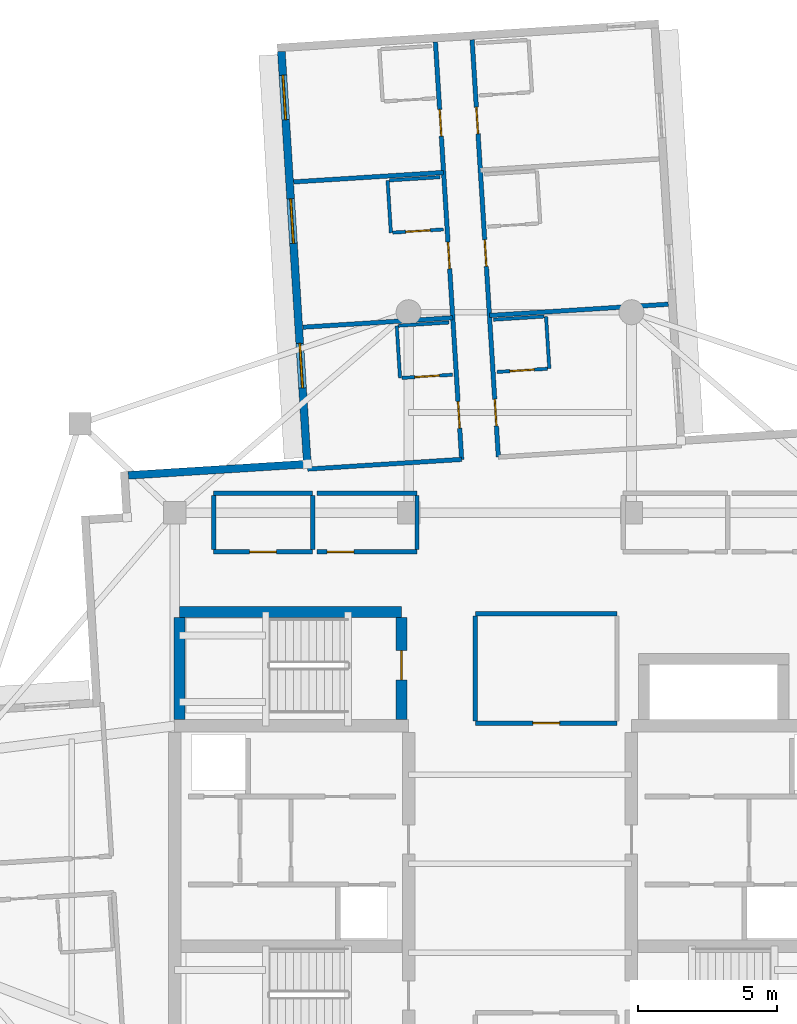
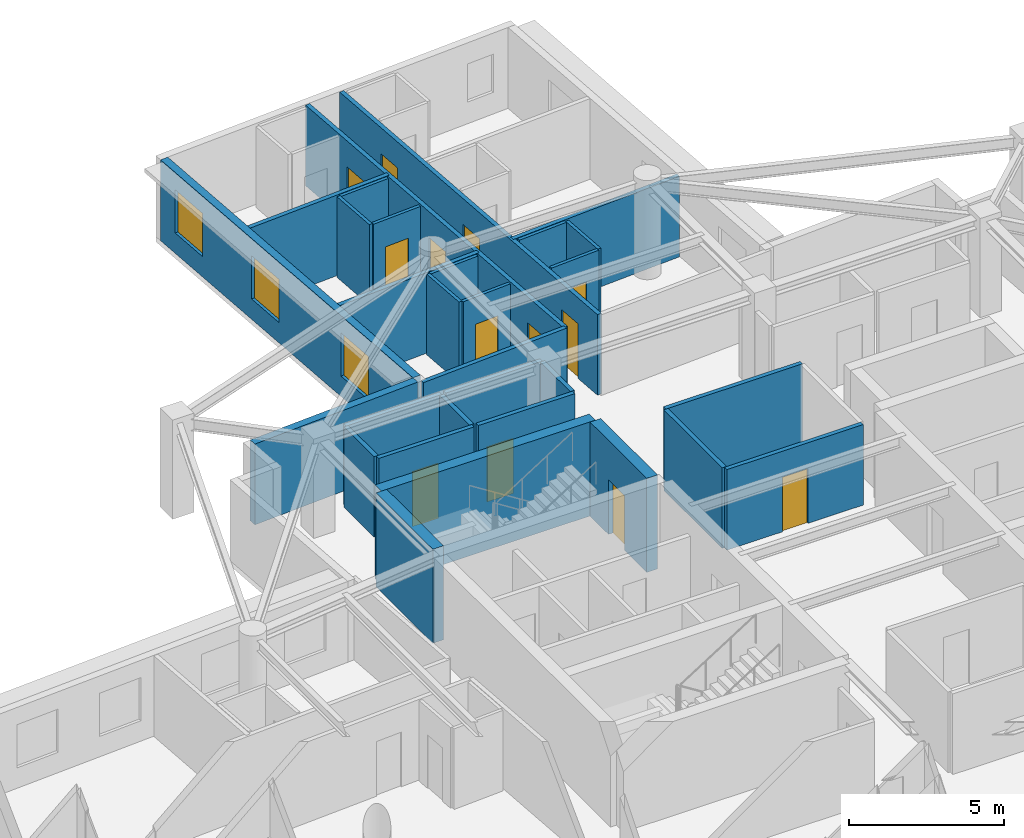
# One storey, part 7 of 13: 30 walls, 13 doors, 3 windows, 16 openings.
"""IFC4 building model written with IfcOpenShell, lengths in metres."""

from ifc_helpers import new_model, si_unit, direction, frame, frame_2d, origin, place, context, subcontext, project, spatial, rectangle, extrude, material, layer, layer_set, type_object, element, fill, save


model = new_model("IFC4")

# Units and contexts
model_context = context("Model", 3, precision=1e-05, world=origin(), true_north=direction((0.0, 1.0)))
body_context = subcontext(model_context, "Body", "Model", "MODEL_VIEW")
ifc_project = project(units=[si_unit("LENGTHUNIT", "METRE"), si_unit("AREAUNIT", "SQUARE_METRE"), si_unit("VOLUMEUNIT", "CUBIC_METRE"), si_unit("PLANEANGLEUNIT", "RADIAN"), si_unit("MASSUNIT", "GRAM", prefix="KILO")], contexts=[model_context])

# Site, building, storey
site_placement = place(None, origin())
site = spatial("IfcSite", under=ifc_project, at=site_placement, CompositionType="ELEMENT")
building_placement = place(site_placement, origin())
building = spatial("IfcBuilding", under=site, at=building_placement, Name="Qingluan Cross Belvedere", CompositionType="ELEMENT")
storey_placement = place(building_placement, frame((0.0, 0.0, 281.10009765625)))
storey = spatial("IfcBuildingStorey", under=building, at=storey_placement, Name="L70", CompositionType="ELEMENT", Elevation=281.10009765625)

# Walls
ifc_material_1 = material(Name="Concrete C50", Category="concrete")
ifc_layer_1 = layer(ifc_material_1, 0.449951171875, Name="CoreShearWall_450")
ifc_layer_set_1 = layer_set([ifc_layer_1], Name="Concrete C50")
wall_type_1 = type_object("IfcWallType", Name="CoreShearWall_450", PredefinedType="SHEAR", material=ifc_layer_set_1)
wall_1_placement = place(storey_placement, frame((-12.219970703125, 9.0400390625, 0.0), z_axis=(0.0, 0.0, 1.0), x_axis=(1.0, 0.0, 0.0)))
element("IfcWall", 1, at=wall_1_placement, inside=storey, type_object=wall_type_1, Name="Stair ST3 structural wall N L70", PredefinedType="SHEAR", context=body_context, shape_type="SweptSolid", body=[
    extrude(rectangle(XDim=7.9599609375, YDim=0.39990234375, at=frame_2d((3.97998046875, 0.0))), origin(), (0.0, 0.0, 1.0), 3.699951171875),
])
wall_2_placement = place(storey_placement, frame((-12.219970703125, 5.179931640625, 0.0), z_axis=(0.0, 0.0, 1.0), x_axis=(0.0, 1.0, 0.0)))
element("IfcWall", 2, at=wall_2_placement, inside=storey, type_object=wall_type_1, Name="Stair ST3 structural wall W L70", PredefinedType="SHEAR", context=body_context, shape_type="SweptSolid", body=[
    extrude(rectangle(XDim=3.655029296875, YDim=0.39990234375, at=frame_2d((1.82763671875, 0.0))), origin(), (0.0, 0.0, 1.0), 3.699951171875),
])

# Wall, opening, door
wall_3_placement = place(storey_placement, frame((-4.260009765625, 5.179931640625, 0.0), z_axis=(0.0, 0.0, 1.0), x_axis=(0.0, 1.0, 0.0)))
wall_3 = element("IfcWall", 3, at=wall_3_placement, inside=storey, type_object=wall_type_1, Name="Stair ST3 structural wall E L70", PredefinedType="SHEAR", context=body_context, shape_type="SweptSolid", body=[
    extrude(rectangle(XDim=3.655029296875, YDim=0.39990234375, at=frame_2d((1.82763671875, 0.0))), origin(), (0.0, 0.0, 1.0), 3.699951171875),
])
opening_1_placement = place(wall_3_placement, frame((1.419921875, 0.0, 0.0)))
opening_1 = element("IfcOpeningElement", 4, at=opening_1_placement, cuts=wall_3, Name="Opening FD-B11", PredefinedType="OPENING", context=body_context, shape_type="SweptSolid", body=[
    extrude(rectangle(XDim=1.050048828125, YDim=2.14990234375, at=frame_2d((0.52490234375, 1.074951171875))), frame((0.0, 0.2099609375, 0.0), z_axis=(0.0, -1.0, 0.0), x_axis=(1.0, 0.0, 0.0)), (0.0, 0.0, 1.0), 0.419921875),
])
ifc_material_2 = material(Name="Steel Class B smoke-seal fire door", Category="steel")
door_type_1 = type_object("IfcDoorType", Name="StairLobbyFireDoor_FDB", OperationType="NOTDEFINED", PredefinedType="DOOR", material=ifc_material_2)
door_1_placement = place(opening_1_placement, origin())
door_1 = element("IfcDoor", 5, at=door_1_placement, inside=storey, type_object=door_type_1, Name="Smoke-proof stair ST3 fire door L70", OperationType="SINGLE_SWING_RIGHT", OverallHeight=2.14990234375, OverallWidth=1.050048828125, PredefinedType="DOOR", context=body_context, shape_type="SweptSolid", body=[
    extrude(rectangle(XDim=1.050048828125, YDim=2.14990234375, at=frame_2d((0.52490234375, 1.074951171875))), frame((0.0, 0.02490234375, 0.0), z_axis=(0.0, -1.0, 0.0), x_axis=(1.0, 0.0, 0.0)), (0.0, 0.0, 1.0), 0.050048828125),
])
fill(opening_1, door_1)

ifc_material_3 = material(Name="Gypsum plasterboard on steel stud acoustic partition", Category="steel")
ifc_layer_2 = layer(ifc_material_3, 0.159912109375, Name="CorridorPartition_160")
ifc_layer_set_2 = layer_set([ifc_layer_2], Name="Gypsum plasterboard on steel stud acoustic partition")
wall_type_2 = type_object("IfcWallType", Name="CorridorPartition_160", PredefinedType="PARTITIONING", material=ifc_layer_set_2)
wall_4_placement = place(storey_placement, frame((-11.0, 11.199951171875, 0.0), z_axis=(0.0, 0.0, 1.0), x_axis=(1.0, 0.0, 0.0)))
wall_4 = element("IfcWall", 6, at=wall_4_placement, inside=storey, type_object=wall_type_2, Name="Partition L70:q_nw1:S", PredefinedType="PARTITIONING", context=body_context, shape_type="SweptSolid", body=[
    extrude(rectangle(XDim=3.550048828125, YDim=0.159912109375, at=frame_2d((1.77490234375, 0.0))), origin(), (0.0, 0.0, 1.0), 3.169921875),
])
opening_2_placement = place(wall_4_placement, frame((1.294921875, 0.0, 0.0)))
opening_2 = element("IfcOpeningElement", 7, at=opening_2_placement, cuts=wall_4, Name="Opening GD-10", PredefinedType="OPENING", context=body_context, shape_type="SweptSolid", body=[
    extrude(rectangle(XDim=0.9599609375, YDim=2.14990234375, at=frame_2d((0.47998046875, 1.074951171875))), frame((0.0, 0.08984375, 0.0), z_axis=(0.0, -1.0, 0.0), x_axis=(1.0, 0.0, 0.0)), (0.0, 0.0, 1.0), 0.179931640625),
])
ifc_material_4 = material(Name="Timber oak fire-rated acoustic guestroom door", Category="wood")
door_type_2 = type_object("IfcDoorType", Name="GuestEntryDoor_FD60", OperationType="NOTDEFINED", PredefinedType="DOOR", material=ifc_material_4)
door_2_placement = place(opening_2_placement, origin())
door_2 = element("IfcDoor", 8, at=door_2_placement, inside=storey, type_object=door_type_2, Name="Northwest sky parlor L70 door", OperationType="SINGLE_SWING_RIGHT", OverallHeight=2.14990234375, OverallWidth=0.9599609375, PredefinedType="DOOR", context=body_context, shape_type="SweptSolid", body=[
    extrude(rectangle(XDim=0.9599609375, YDim=2.14990234375, at=frame_2d((0.47998046875, 1.074951171875))), frame((0.0, 0.02490234375, 0.0), z_axis=(0.0, -1.0, 0.0), x_axis=(1.0, 0.0, 0.0)), (0.0, 0.0, 1.0), 0.050048828125),
])
fill(opening_2, door_2)

# Walls
wall_5_placement = place(storey_placement, frame((-11.0, 13.300048828125, 0.0), z_axis=(0.0, 0.0, 1.0), x_axis=(1.0, 0.0, 0.0)))
element("IfcWall", 9, at=wall_5_placement, inside=storey, type_object=wall_type_2, Name="Partition L70:q_nw1:N", PredefinedType="PARTITIONING", context=body_context, shape_type="SweptSolid", body=[
    extrude(rectangle(XDim=3.550048828125, YDim=0.159912109375, at=frame_2d((1.77490234375, 0.0))), origin(), (0.0, 0.0, 1.0), 3.169921875),
])
for number, where, z_axis, x_axis, name in (
    (10, (-11.0, 11.284912109375, 0.0), (0.0, 0.0, 1.0), (0.0, 1.0, 0.0), "Partition L70:q_nw1:W"),
    (11, (-7.449951171875, 11.284912109375, 0.0), (0.0, 0.0, 1.0), (0.0, 1.0, 0.0), "Partition L70:q_nw1:E"),
):
    element("IfcWall", number, at=place(storey_placement, frame(where, z_axis=z_axis, x_axis=x_axis)), inside=storey, type_object=wall_type_2, Name=name, PredefinedType="PARTITIONING", context=body_context, shape_type="SweptSolid", body=[
        extrude(rectangle(XDim=1.93017578125, YDim=0.159912109375, at=frame_2d((0.965087890625, 0.0))), origin(), (0.0, 0.0, 1.0), 3.169921875),
    ])

# Wall, opening, door
wall_6_placement = place(storey_placement, frame((-7.2900390625, 11.199951171875, 0.0), z_axis=(0.0, 0.0, 1.0), x_axis=(1.0, 0.0, 0.0)))
wall_6 = element("IfcWall", 12, at=wall_6_placement, inside=storey, type_object=wall_type_2, Name="Partition L70:q_nw2:S", PredefinedType="PARTITIONING", context=body_context, shape_type="SweptSolid", body=[
    extrude(rectangle(XDim=3.590087890625, YDim=0.159912109375, at=frame_2d((1.794921875, 0.0))), origin(), (0.0, 0.0, 1.0), 3.169921875),
])
opening_3_placement = place(wall_6_placement, frame((0.364990234375, 0.0, 0.0)))
opening_3 = element("IfcOpeningElement", 13, at=opening_3_placement, cuts=wall_6, Name="Opening GD-10", PredefinedType="OPENING", context=body_context, shape_type="SweptSolid", body=[
    extrude(rectangle(XDim=0.9599609375, YDim=2.14990234375, at=frame_2d((0.47998046875, 1.074951171875))), frame((0.0, 0.08984375, 0.0), z_axis=(0.0, -1.0, 0.0), x_axis=(1.0, 0.0, 0.0)), (0.0, 0.0, 1.0), 0.179931640625),
])
door_3_placement = place(opening_3_placement, origin())
door_3 = element("IfcDoor", 14, at=door_3_placement, inside=storey, type_object=door_type_2, Name="Northwest study salon L70 door", OperationType="SINGLE_SWING_LEFT", OverallHeight=2.14990234375, OverallWidth=0.9599609375, PredefinedType="DOOR", context=body_context, shape_type="SweptSolid", body=[
    extrude(rectangle(XDim=0.9599609375, YDim=2.14990234375, at=frame_2d((0.47998046875, 1.074951171875))), frame((0.0, 0.02490234375, 0.0), z_axis=(0.0, -1.0, 0.0), x_axis=(1.0, 0.0, 0.0)), (0.0, 0.0, 1.0), 0.050048828125),
])
fill(opening_3, door_3)

# Walls
wall_7_placement = place(storey_placement, frame((-7.2900390625, 13.300048828125, 0.0), z_axis=(0.0, 0.0, 1.0), x_axis=(1.0, 0.0, 0.0)))
element("IfcWall", 15, at=wall_7_placement, inside=storey, type_object=wall_type_2, Name="Partition L70:q_nw2:N", PredefinedType="PARTITIONING", context=body_context, shape_type="SweptSolid", body=[
    extrude(rectangle(XDim=3.590087890625, YDim=0.159912109375, at=frame_2d((1.794921875, 0.0))), origin(), (0.0, 0.0, 1.0), 3.169921875),
])
wall_8_placement = place(storey_placement, frame((-3.699951171875, 11.284912109375, 0.0), z_axis=(0.0, 0.0, 1.0), x_axis=(0.0, 1.0, 0.0)))
element("IfcWall", 16, at=wall_8_placement, inside=storey, type_object=wall_type_2, Name="Partition L70:q_nw2:E", PredefinedType="PARTITIONING", context=body_context, shape_type="SweptSolid", body=[
    extrude(rectangle(XDim=1.93017578125, YDim=0.159912109375, at=frame_2d((0.965087890625, 0.0))), origin(), (0.0, 0.0, 1.0), 3.169921875),
])

# Wall, opening, door
wall_9_placement = place(storey_placement, frame((-1.60009765625, 5.050048828125, 0.0), z_axis=(0.0, 0.0, 1.0), x_axis=(1.0, 0.0, 0.0)))
wall_9 = element("IfcWall", 17, at=wall_9_placement, inside=storey, type_object=wall_type_2, Name="Partition L70:sky_tea_alcove:S", PredefinedType="PARTITIONING", context=body_context, shape_type="SweptSolid", body=[
    extrude(rectangle(XDim=5.080078125, YDim=0.159912109375, at=frame_2d((2.5400390625, 0.0))), origin(), (0.0, 0.0, 1.0), 3.169921875),
])
opening_4_placement = place(wall_9_placement, frame((2.06005859375, 0.0, 0.0)))
opening_4 = element("IfcOpeningElement", 18, at=opening_4_placement, cuts=wall_9, Name="Opening GD-10", PredefinedType="OPENING", context=body_context, shape_type="SweptSolid", body=[
    extrude(rectangle(XDim=0.9599609375, YDim=2.14990234375, at=frame_2d((0.47998046875, 1.074951171875))), frame((0.0, 0.08984375, 0.0), z_axis=(0.0, -1.0, 0.0), x_axis=(1.0, 0.0, 0.0)), (0.0, 0.0, 1.0), 0.179931640625),
])
door_4_placement = place(opening_4_placement, origin())
door_4 = element("IfcDoor", 19, at=door_4_placement, inside=storey, type_object=door_type_2, Name="Sky horizon tea salon L70 door", OperationType="SINGLE_SWING_LEFT", OverallHeight=2.14990234375, OverallWidth=0.9599609375, PredefinedType="DOOR", context=body_context, shape_type="SweptSolid", body=[
    extrude(rectangle(XDim=0.9599609375, YDim=2.14990234375, at=frame_2d((0.47998046875, 1.074951171875))), frame((0.0, 0.02490234375, 0.0), z_axis=(0.0, -1.0, 0.0), x_axis=(1.0, 0.0, 0.0)), (0.0, 0.0, 1.0), 0.050048828125),
])
fill(opening_4, door_4)

# Walls
wall_10_placement = place(storey_placement, frame((-1.60009765625, 8.97998046875, 0.0), z_axis=(0.0, 0.0, 1.0), x_axis=(1.0, 0.0, 0.0)))
element("IfcWall", 20, at=wall_10_placement, inside=storey, type_object=wall_type_2, Name="Partition L70:sky_tea_alcove:N", PredefinedType="PARTITIONING", context=body_context, shape_type="SweptSolid", body=[
    extrude(rectangle(XDim=5.080078125, YDim=0.159912109375, at=frame_2d((2.5400390625, 0.0))), origin(), (0.0, 0.0, 1.0), 3.169921875),
])
wall_11_placement = place(storey_placement, frame((-1.60009765625, 5.135009765625, 0.0), z_axis=(0.0, 0.0, 1.0), x_axis=(0.0, 1.0, 0.0)))
element("IfcWall", 21, at=wall_11_placement, inside=storey, type_object=wall_type_2, Name="Partition L70:sky_tea_alcove:W", PredefinedType="PARTITIONING", context=body_context, shape_type="SweptSolid", body=[
    extrude(rectangle(XDim=3.760009765625, YDim=0.159912109375, at=frame_2d((1.8798828125, 0.0))), origin(), (0.0, 0.0, 1.0), 3.169921875),
])

# Wall, openings, doors
wall_12_placement = place(storey_placement, frame((-0.7783203125, 14.599853515625, 0.0), z_axis=(0.0, 0.0, 1.0), x_axis=(-0.062791373209, 0.998026674719, 0.0)))
wall_12 = element("IfcWall", 22, at=wall_12_placement, inside=storey, type_object=wall_type_2, Name="Partition L70:N:c0", PredefinedType="PARTITIONING", context=body_context, shape_type="SweptSolid", body=[
    extrude(rectangle(XDim=15.011962890625, YDim=0.159912109375, at=frame_2d((7.505859375, 0.0))), origin(), (0.0, 0.0, 1.0), 3.169921875),
])
opening_5_placement = place(wall_12_placement, frame((1.1220703125, 0.0, 0.0)))
opening_5 = element("IfcOpeningElement", 23, at=opening_5_placement, cuts=wall_12, Name="Opening GD-10", PredefinedType="OPENING", context=body_context, shape_type="SweptSolid", body=[
    extrude(rectangle(XDim=0.9599609375, YDim=2.14990234375, at=frame_2d((0.47998046875, 1.074951171875))), frame((0.0, 0.08984375, 0.0), z_axis=(0.0, -1.0, 0.0), x_axis=(1.0, 0.0, 0.0)), (0.0, 0.0, 1.0), 0.179931640625),
])
opening_6_placement = place(wall_12_placement, frame((6.85791015625, 0.0, 0.0)))
opening_6 = element("IfcOpeningElement", 24, at=opening_6_placement, cuts=wall_12, Name="Opening GD-10", PredefinedType="OPENING", context=body_context, shape_type="SweptSolid", body=[
    extrude(rectangle(XDim=0.9599609375, YDim=2.14990234375, at=frame_2d((0.47998046875, 1.074951171875))), frame((0.0, 0.08984375, 0.0), z_axis=(0.0, -1.0, 0.0), x_axis=(1.0, 0.0, 0.0)), (0.0, 0.0, 1.0), 0.179931640625),
])
opening_7_placement = place(wall_12_placement, frame((11.6279296875, 0.0, 0.0)))
opening_7 = element("IfcOpeningElement", 25, at=opening_7_placement, cuts=wall_12, Name="Opening GD-10", PredefinedType="OPENING", context=body_context, shape_type="SweptSolid", body=[
    extrude(rectangle(XDim=0.9599609375, YDim=2.14990234375, at=frame_2d((0.47998046875, 1.074951171875))), frame((0.0, 0.08984375, 0.0), z_axis=(0.0, -1.0, 0.0), x_axis=(1.0, 0.0, 0.0)), (0.0, 0.0, 1.0), 0.179931640625),
])
door_5_placement = place(opening_5_placement, origin())
door_5 = element("IfcDoor", 26, at=door_5_placement, inside=storey, type_object=door_type_2, Name="Guest entry fire door 7009", OperationType="SINGLE_SWING_LEFT", OverallHeight=2.14990234375, OverallWidth=0.9599609375, PredefinedType="DOOR", context=body_context, shape_type="SweptSolid", body=[
    extrude(rectangle(XDim=0.9599609375, YDim=2.14990234375, at=frame_2d((0.47998046875, 1.074951171875))), frame((0.0, 0.02490234375, 0.0), z_axis=(0.0, -1.0, 0.0), x_axis=(1.0, 0.0, 0.0)), (0.0, 0.0, 1.0), 0.050048828125),
])
fill(opening_5, door_5)
door_6_placement = place(opening_6_placement, origin())
door_6 = element("IfcDoor", 27, at=door_6_placement, inside=storey, type_object=door_type_2, Name="Guest entry fire door 7010", OperationType="SINGLE_SWING_LEFT", OverallHeight=2.14990234375, OverallWidth=0.9599609375, PredefinedType="DOOR", context=body_context, shape_type="SweptSolid", body=[
    extrude(rectangle(XDim=0.9599609375, YDim=2.14990234375, at=frame_2d((0.47998046875, 1.074951171875))), frame((0.0, 0.02490234375, 0.0), z_axis=(0.0, -1.0, 0.0), x_axis=(1.0, 0.0, 0.0)), (0.0, 0.0, 1.0), 0.050048828125),
])
fill(opening_6, door_6)
door_7_placement = place(opening_7_placement, origin())
door_7 = element("IfcDoor", 28, at=door_7_placement, inside=storey, type_object=door_type_2, Name="Guest entry fire door 7011", OperationType="SINGLE_SWING_LEFT", OverallHeight=2.14990234375, OverallWidth=0.9599609375, PredefinedType="DOOR", context=body_context, shape_type="SweptSolid", body=[
    extrude(rectangle(XDim=0.9599609375, YDim=2.14990234375, at=frame_2d((0.47998046875, 1.074951171875))), frame((0.0, 0.02490234375, 0.0), z_axis=(0.0, -1.0, 0.0), x_axis=(1.0, 0.0, 0.0)), (0.0, 0.0, 1.0), 0.050048828125),
])
fill(opening_7, door_7)

# Wall
wall_13_placement = place(storey_placement, frame((-1.09814453125, 19.683837890625, 0.0), z_axis=(0.0, 0.0, 1.0), x_axis=(0.998024861541, 0.062820185823, 0.0)))
element("IfcWall", 29, at=wall_13_placement, inside=storey, type_object=wall_type_2, Name="Partition L70:N:d0_0", PredefinedType="PARTITIONING", context=body_context, shape_type="SweptSolid", body=[
    extrude(rectangle(XDim=6.431884765625, YDim=0.159912109375, at=frame_2d((3.2158203125, 0.0))), origin(), (0.0, 0.0, 1.0), 3.169921875),
])

# Wall, openings, doors
wall_14_placement = place(storey_placement, frame((-2.095703125, 14.51708984375, 0.0), z_axis=(0.0, 0.0, 1.0), x_axis=(-0.062791373209, 0.998026674719, 0.0)))
wall_14 = element("IfcWall", 30, at=wall_14_placement, inside=storey, type_object=wall_type_2, Name="Partition L70:N:c1", PredefinedType="PARTITIONING", context=body_context, shape_type="SweptSolid", body=[
    extrude(rectangle(XDim=15.011962890625, YDim=0.159912109375, at=frame_2d((7.505859375, 0.0))), origin(), (0.0, 0.0, 1.0), 3.169921875),
])
opening_8_placement = place(wall_14_placement, frame((1.1220703125, 0.0, 0.0)))
opening_8 = element("IfcOpeningElement", 31, at=opening_8_placement, cuts=wall_14, Name="Opening GD-10", PredefinedType="OPENING", context=body_context, shape_type="SweptSolid", body=[
    extrude(rectangle(XDim=0.9599609375, YDim=2.14990234375, at=frame_2d((0.47998046875, 1.074951171875))), frame((0.0, 0.08984375, 0.0), z_axis=(0.0, -1.0, 0.0), x_axis=(1.0, 0.0, 0.0)), (0.0, 0.0, 1.0), 0.179931640625),
])
opening_9_placement = place(wall_14_placement, frame((6.85791015625, 0.0, 0.0)))
opening_9 = element("IfcOpeningElement", 32, at=opening_9_placement, cuts=wall_14, Name="Opening GD-10", PredefinedType="OPENING", context=body_context, shape_type="SweptSolid", body=[
    extrude(rectangle(XDim=0.9599609375, YDim=2.14990234375, at=frame_2d((0.47998046875, 1.074951171875))), frame((0.0, 0.08984375, 0.0), z_axis=(0.0, -1.0, 0.0), x_axis=(1.0, 0.0, 0.0)), (0.0, 0.0, 1.0), 0.179931640625),
])
opening_10_placement = place(wall_14_placement, frame((11.6279296875, 0.0, 0.0)))
opening_10 = element("IfcOpeningElement", 33, at=opening_10_placement, cuts=wall_14, Name="Opening GD-10", PredefinedType="OPENING", context=body_context, shape_type="SweptSolid", body=[
    extrude(rectangle(XDim=0.9599609375, YDim=2.14990234375, at=frame_2d((0.47998046875, 1.074951171875))), frame((0.0, 0.08984375, 0.0), z_axis=(0.0, -1.0, 0.0), x_axis=(1.0, 0.0, 0.0)), (0.0, 0.0, 1.0), 0.179931640625),
])
door_8_placement = place(opening_8_placement, origin())
door_8 = element("IfcDoor", 34, at=door_8_placement, inside=storey, type_object=door_type_2, Name="Guest entry fire door 7012", OperationType="SINGLE_SWING_LEFT", OverallHeight=2.14990234375, OverallWidth=0.9599609375, PredefinedType="DOOR", context=body_context, shape_type="SweptSolid", body=[
    extrude(rectangle(XDim=0.9599609375, YDim=2.14990234375, at=frame_2d((0.47998046875, 1.074951171875))), frame((0.0, 0.02490234375, 0.0), z_axis=(0.0, -1.0, 0.0), x_axis=(1.0, 0.0, 0.0)), (0.0, 0.0, 1.0), 0.050048828125),
])
fill(opening_8, door_8)
door_9_placement = place(opening_9_placement, origin())
door_9 = element("IfcDoor", 35, at=door_9_placement, inside=storey, type_object=door_type_2, Name="Guest entry fire door 7013", OperationType="SINGLE_SWING_LEFT", OverallHeight=2.14990234375, OverallWidth=0.9599609375, PredefinedType="DOOR", context=body_context, shape_type="SweptSolid", body=[
    extrude(rectangle(XDim=0.9599609375, YDim=2.14990234375, at=frame_2d((0.47998046875, 1.074951171875))), frame((0.0, 0.02490234375, 0.0), z_axis=(0.0, -1.0, 0.0), x_axis=(1.0, 0.0, 0.0)), (0.0, 0.0, 1.0), 0.050048828125),
])
fill(opening_9, door_9)
door_10_placement = place(opening_10_placement, origin())
door_10 = element("IfcDoor", 36, at=door_10_placement, inside=storey, type_object=door_type_2, Name="Guest entry fire door 7014", OperationType="SINGLE_SWING_LEFT", OverallHeight=2.14990234375, OverallWidth=0.9599609375, PredefinedType="DOOR", context=body_context, shape_type="SweptSolid", body=[
    extrude(rectangle(XDim=0.9599609375, YDim=2.14990234375, at=frame_2d((0.47998046875, 1.074951171875))), frame((0.0, 0.02490234375, 0.0), z_axis=(0.0, -1.0, 0.0), x_axis=(1.0, 0.0, 0.0)), (0.0, 0.0, 1.0), 0.050048828125),
])
fill(opening_10, door_10)

# Walls
wall_15_placement = place(storey_placement, frame((-2.095703125, 14.51708984375, 0.0), z_axis=(0.0, 0.0, 1.0), x_axis=(-0.998026254693, -0.062798048878, 0.0)))
element("IfcWall", 37, at=wall_15_placement, inside=storey, type_object=wall_type_2, Name="Partition L70:N:s1", PredefinedType="PARTITIONING", context=body_context, shape_type="SweptSolid", body=[
    extrude(rectangle(XDim=5.5400390625, YDim=0.159912109375, at=frame_2d((2.77001953125, 0.0))), origin(), (0.0, 0.0, 1.0), 3.169921875),
])
for number, where, z_axis, x_axis, name in (
    (38, (-2.41552734375, 19.60107421875, 0.0), (0.0, 0.0, 1.0), (-0.998026061844, -0.062801113682, 0.0), "Partition L70:N:d1_0"),
    (39, (-2.74365234375, 24.817626953125, 0.0), (0.0, 0.0, 1.0), (-0.998026061844, -0.062801113682, 0.0), "Partition L70:N:d1_1"),
):
    element("IfcWall", number, at=place(storey_placement, frame(where, z_axis=z_axis, x_axis=x_axis)), inside=storey, type_object=wall_type_2, Name=name, PredefinedType="PARTITIONING", context=body_context, shape_type="SweptSolid", body=[
        extrude(rectangle(XDim=5.39208984375, YDim=0.159912109375, at=frame_2d((2.696044921875, 0.0))), origin(), (0.0, 0.0, 1.0), 3.169921875),
    ])

# Wall, opening, door
ifc_material_5 = material(Name="Moisture-resistant gypsum board lining")
ifc_layer_3 = layer(ifc_material_5, 0.1201171875, Name="EnsuiteWetPartition_120")
ifc_layer_set_3 = layer_set([ifc_layer_3], Name="Moisture-resistant gypsum board lining")
wall_type_3 = type_object("IfcWallType", Name="EnsuiteWetPartition_120", PredefinedType="PARTITIONING", material=ifc_layer_set_3)
wall_16_placement = place(storey_placement, frame((-0.830322265625, 17.65673828125, 0.0), z_axis=(0.0, 0.0, 1.0), x_axis=(0.998027443946, 0.062779145668, 0.0)))
wall_16 = element("IfcWall", 40, at=wall_16_placement, inside=storey, type_object=wall_type_3, Name="Partition L70:N:bs0_0", PredefinedType="PARTITIONING", context=body_context, shape_type="SweptSolid", body=[
    extrude(rectangle(XDim=1.820068359375, YDim=0.1201171875, at=frame_2d((0.91015625, 0.0))), origin(), (0.0, 0.0, 1.0), 3.169921875),
])
opening_11_placement = place(wall_16_placement, frame((0.469970703125, 0.0, 0.0)))
opening_11 = element("IfcOpeningElement", 41, at=opening_11_placement, cuts=wall_16, Name="Opening BD-09", PredefinedType="OPENING", context=body_context, shape_type="SweptSolid", body=[
    extrude(rectangle(XDim=0.8798828125, YDim=2.10009765625, at=frame_2d((0.43994140625, 1.050048828125))), frame((0.0, 0.070068359375, 0.0), z_axis=(0.0, -1.0, 0.0), x_axis=(1.0, 0.0, 0.0)), (0.0, 0.0, 1.0), 0.14013671875),
])
ifc_material_6 = material(Name="Moisture-sealed timber en-suite door", Category="wood")
door_type_3 = type_object("IfcDoorType", Name="BathroomDoor_880", OperationType="NOTDEFINED", PredefinedType="DOOR", material=ifc_material_6)
door_11_placement = place(opening_11_placement, origin())
door_11 = element("IfcDoor", 42, at=door_11_placement, inside=storey, type_object=door_type_3, Name="Bathroom door 7009", OperationType="SINGLE_SWING_RIGHT", OverallHeight=2.10009765625, OverallWidth=0.8798828125, PredefinedType="DOOR", context=body_context, shape_type="SweptSolid", body=[
    extrude(rectangle(XDim=0.8798828125, YDim=2.10009765625, at=frame_2d((0.43994140625, 1.050048828125))), frame((0.0, 0.02490234375, 0.0), z_axis=(0.0, -1.0, 0.0), x_axis=(1.0, 0.0, 0.0)), (0.0, 0.0, 1.0), 0.050048828125),
])
fill(opening_11, door_11)

# Walls
wall_17_placement = place(storey_placement, frame((-0.948486328125, 19.532958984375, 0.0), z_axis=(0.0, 0.0, 1.0), x_axis=(0.998027972529, 0.062770741989, 0.0)))
element("IfcWall", 43, at=wall_17_placement, inside=storey, type_object=wall_type_3, Name="Partition L70:N:bw0_0", PredefinedType="PARTITIONING", context=body_context, shape_type="SweptSolid", body=[
    extrude(rectangle(XDim=1.8203125, YDim=0.1201171875, at=frame_2d((0.91015625, 0.0))), origin(), (0.0, 0.0, 1.0), 3.169921875),
])
wall_18_placement = place(storey_placement, frame((1.051025390625, 17.775146484375, 0.0), z_axis=(0.0, 0.0, 1.0), x_axis=(-0.062855297722, 0.998022650819, 0.0)))
element("IfcWall", 44, at=wall_18_placement, inside=storey, type_object=wall_type_3, Name="Partition L70:N:bn0_0", PredefinedType="PARTITIONING", context=body_context, shape_type="SweptSolid", body=[
    extrude(rectangle(XDim=1.8798828125, YDim=0.1201171875, at=frame_2d((0.93994140625, 0.0))), origin(), (0.0, 0.0, 1.0), 3.169921875),
])

# Wall, opening, door
wall_19_placement = place(storey_placement, frame((-4.24365234375, 17.44189453125, 0.0), z_axis=(0.0, 0.0, 1.0), x_axis=(0.998027443946, 0.062779145668, 0.0)))
wall_19 = element("IfcWall", 45, at=wall_19_placement, inside=storey, type_object=wall_type_3, Name="Partition L70:N:bs1_0", PredefinedType="PARTITIONING", context=body_context, shape_type="SweptSolid", body=[
    extrude(rectangle(XDim=1.820068359375, YDim=0.1201171875, at=frame_2d((0.91015625, 0.0))), origin(), (0.0, 0.0, 1.0), 3.169921875),
])
opening_12_placement = place(wall_19_placement, frame((0.469970703125, 0.0, 0.0)))
opening_12 = element("IfcOpeningElement", 46, at=opening_12_placement, cuts=wall_19, Name="Opening BD-09", PredefinedType="OPENING", context=body_context, shape_type="SweptSolid", body=[
    extrude(rectangle(XDim=0.8798828125, YDim=2.10009765625, at=frame_2d((0.43994140625, 1.050048828125))), frame((0.0, 0.070068359375, 0.0), z_axis=(0.0, -1.0, 0.0), x_axis=(1.0, 0.0, 0.0)), (0.0, 0.0, 1.0), 0.14013671875),
])
door_12_placement = place(opening_12_placement, origin())
door_12 = element("IfcDoor", 47, at=door_12_placement, inside=storey, type_object=door_type_3, Name="Bathroom door 7012", OperationType="SINGLE_SWING_RIGHT", OverallHeight=2.10009765625, OverallWidth=0.8798828125, PredefinedType="DOOR", context=body_context, shape_type="SweptSolid", body=[
    extrude(rectangle(XDim=0.8798828125, YDim=2.10009765625, at=frame_2d((0.43994140625, 1.050048828125))), frame((0.0, 0.02490234375, 0.0), z_axis=(0.0, -1.0, 0.0), x_axis=(1.0, 0.0, 0.0)), (0.0, 0.0, 1.0), 0.050048828125),
])
fill(opening_12, door_12)

# Walls
wall_20_placement = place(storey_placement, frame((-4.361572265625, 19.318359375, 0.0), z_axis=(0.0, 0.0, 1.0), x_axis=(0.998027443946, 0.062779145668, 0.0)))
element("IfcWall", 48, at=wall_20_placement, inside=storey, type_object=wall_type_3, Name="Partition L70:N:bw1_0", PredefinedType="PARTITIONING", context=body_context, shape_type="SweptSolid", body=[
    extrude(rectangle(XDim=1.820068359375, YDim=0.1201171875, at=frame_2d((0.91015625, 0.0))), origin(), (0.0, 0.0, 1.0), 3.169921875),
])
wall_21_placement = place(storey_placement, frame((-4.308349609375, 17.43798828125, 0.0), z_axis=(0.0, 0.0, 1.0), x_axis=(-0.062855297722, 0.998022650819, 0.0)))
element("IfcWall", 49, at=wall_21_placement, inside=storey, type_object=wall_type_3, Name="Partition L70:N:bc1_0", PredefinedType="PARTITIONING", context=body_context, shape_type="SweptSolid", body=[
    extrude(rectangle(XDim=1.8798828125, YDim=0.1201171875, at=frame_2d((0.93994140625, 0.0))), origin(), (0.0, 0.0, 1.0), 3.169921875),
])

# Wall, opening, door
wall_22_placement = place(storey_placement, frame((-4.57177734375, 22.65869140625, 0.0), z_axis=(0.0, 0.0, 1.0), x_axis=(0.998027443946, 0.062779145668, 0.0)))
wall_22 = element("IfcWall", 50, at=wall_22_placement, inside=storey, type_object=wall_type_3, Name="Partition L70:N:bs1_1", PredefinedType="PARTITIONING", context=body_context, shape_type="SweptSolid", body=[
    extrude(rectangle(XDim=1.820068359375, YDim=0.1201171875, at=frame_2d((0.91015625, 0.0))), origin(), (0.0, 0.0, 1.0), 3.169921875),
])
opening_13_placement = place(wall_22_placement, frame((0.469970703125, 0.0, 0.0)))
opening_13 = element("IfcOpeningElement", 51, at=opening_13_placement, cuts=wall_22, Name="Opening BD-09", PredefinedType="OPENING", context=body_context, shape_type="SweptSolid", body=[
    extrude(rectangle(XDim=0.8798828125, YDim=2.10009765625, at=frame_2d((0.43994140625, 1.050048828125))), frame((0.0, 0.070068359375, 0.0), z_axis=(0.0, -1.0, 0.0), x_axis=(1.0, 0.0, 0.0)), (0.0, 0.0, 1.0), 0.14013671875),
])
door_13_placement = place(opening_13_placement, origin())
door_13 = element("IfcDoor", 52, at=door_13_placement, inside=storey, type_object=door_type_3, Name="Bathroom door 7013", OperationType="SINGLE_SWING_RIGHT", OverallHeight=2.10009765625, OverallWidth=0.8798828125, PredefinedType="DOOR", context=body_context, shape_type="SweptSolid", body=[
    extrude(rectangle(XDim=0.8798828125, YDim=2.10009765625, at=frame_2d((0.43994140625, 1.050048828125))), frame((0.0, 0.02490234375, 0.0), z_axis=(0.0, -1.0, 0.0), x_axis=(1.0, 0.0, 0.0)), (0.0, 0.0, 1.0), 0.050048828125),
])
fill(opening_13, door_13)

# Walls
wall_23_placement = place(storey_placement, frame((-4.689697265625, 24.534912109375, 0.0), z_axis=(0.0, 0.0, 1.0), x_axis=(0.998027443946, 0.062779145668, 0.0)))
element("IfcWall", 53, at=wall_23_placement, inside=storey, type_object=wall_type_3, Name="Partition L70:N:bw1_1", PredefinedType="PARTITIONING", context=body_context, shape_type="SweptSolid", body=[
    extrude(rectangle(XDim=1.820068359375, YDim=0.1201171875, at=frame_2d((0.91015625, 0.0))), origin(), (0.0, 0.0, 1.0), 3.169921875),
])
wall_24_placement = place(storey_placement, frame((-4.63671875, 22.654541015625, 0.0), z_axis=(0.0, 0.0, 1.0), x_axis=(-0.062717813936, 0.998031300018, 0.0)))
element("IfcWall", 54, at=wall_24_placement, inside=storey, type_object=wall_type_3, Name="Partition L70:N:bc1_1", PredefinedType="PARTITIONING", context=body_context, shape_type="SweptSolid", body=[
    extrude(rectangle(XDim=1.880126953125, YDim=0.1201171875, at=frame_2d((0.93994140625, 0.0))), origin(), (0.0, 0.0, 1.0), 3.169921875),
])

# Wall, openings, windows
ifc_material_7 = material(Name="Precast concrete C45", Category="concrete")
ifc_layer_4 = layer(ifc_material_7, 0.280029296875, Name="PrecastFacadeWall_280")
ifc_layer_set_4 = layer_set([ifc_layer_4], Name="Precast concrete C45")
wall_type_4 = type_object("IfcWallType", Name="PrecastFacadeWall_280", PredefinedType="STANDARD", material=ifc_layer_set_4)
wall_25_placement = place(storey_placement, frame((-8.56787109375, 29.15966796875, 0.0), z_axis=(0.0, 0.0, 1.0), x_axis=(0.062794967833, -0.998026448555, 0.0)))
wall_25 = element("IfcWall", 55, at=wall_25_placement, inside=storey, type_object=wall_type_4, Name="Facade wall L70-NB", PredefinedType="STANDARD", context=body_context, shape_type="SweptSolid", body=[
    extrude(rectangle(XDim=14.7001953125, YDim=0.280029296875, at=frame_2d((7.35009765625, 0.0))), origin(), (0.0, 0.0, 1.0), 3.179931640625),
])
opening_14_placement = place(wall_25_placement, frame((0.85009765625, 0.0, 0.800048828125)))
opening_14 = element("IfcOpeningElement", 56, at=opening_14_placement, cuts=wall_25, Name="Opening W-04", PredefinedType="OPENING", context=body_context, shape_type="SweptSolid", body=[
    extrude(rectangle(XDim=1.60009765625, YDim=1.699951171875, at=frame_2d((0.800048828125, 0.85009765625))), frame((0.0, 0.14990234375, 0.0), z_axis=(0.0, -1.0, 0.0), x_axis=(1.0, 0.0, 0.0)), (0.0, 0.0, 1.0), 0.300048828125),
])
opening_15_placement = place(wall_25_placement, frame((5.300048828125, 0.0, 0.800048828125)))
opening_15 = element("IfcOpeningElement", 57, at=opening_15_placement, cuts=wall_25, Name="Opening W-04", PredefinedType="OPENING", context=body_context, shape_type="SweptSolid", body=[
    extrude(rectangle(XDim=1.60009765625, YDim=1.699951171875, at=frame_2d((0.800048828125, 0.85009765625))), frame((0.0, 0.14990234375, 0.0), z_axis=(0.0, -1.0, 0.0), x_axis=(1.0, 0.0, 0.0)), (0.0, 0.0, 1.0), 0.300048828125),
])
opening_16_placement = place(wall_25_placement, frame((10.5, 0.0, 0.800048828125)))
opening_16 = element("IfcOpeningElement", 58, at=opening_16_placement, cuts=wall_25, Name="Opening W-04", PredefinedType="OPENING", context=body_context, shape_type="SweptSolid", body=[
    extrude(rectangle(XDim=1.60009765625, YDim=1.699951171875, at=frame_2d((0.800048828125, 0.85009765625))), frame((0.0, 0.14990234375, 0.0), z_axis=(0.0, -1.0, 0.0), x_axis=(1.0, 0.0, 0.0)), (0.0, 0.0, 1.0), 0.300048828125),
])
ifc_material_8 = material(Name="Thermally broken triple Low-E glass in aluminium frame", Category="aluminium")
window_type = type_object("IfcWindowType", Name="SuiteCornerWin_1600x1700", PartitioningType="SINGLE_PANEL", PredefinedType="WINDOW", material=ifc_material_8)
window_1_placement = place(opening_14_placement, origin())
window_1 = element("IfcWindow", 59, at=window_1_placement, inside=storey, type_object=window_type, Name="Ribbon window L70-NB-1", OverallHeight=1.699951171875, OverallWidth=1.60009765625, PartitioningType="SINGLE_PANEL", PredefinedType="WINDOW", context=body_context, shape_type="SweptSolid", body=[
    extrude(rectangle(XDim=1.60009765625, YDim=1.699951171875, at=frame_2d((0.800048828125, 0.85009765625))), frame((0.0, 0.030029296875, 0.0), z_axis=(0.0, -1.0, 0.0), x_axis=(1.0, 0.0, 0.0)), (0.0, 0.0, 1.0), 0.06005859375),
])
fill(opening_14, window_1)
window_2_placement = place(opening_15_placement, origin())
window_2 = element("IfcWindow", 60, at=window_2_placement, inside=storey, type_object=window_type, Name="Ribbon window L70-NB-2", OverallHeight=1.699951171875, OverallWidth=1.60009765625, PartitioningType="SINGLE_PANEL", PredefinedType="WINDOW", context=body_context, shape_type="SweptSolid", body=[
    extrude(rectangle(XDim=1.60009765625, YDim=1.699951171875, at=frame_2d((0.800048828125, 0.85009765625))), frame((0.0, 0.030029296875, 0.0), z_axis=(0.0, -1.0, 0.0), x_axis=(1.0, 0.0, 0.0)), (0.0, 0.0, 1.0), 0.06005859375),
])
fill(opening_15, window_2)
window_3_placement = place(opening_16_placement, origin())
window_3 = element("IfcWindow", 61, at=window_3_placement, inside=storey, type_object=window_type, Name="Ribbon window L70-NB-3", OverallHeight=1.699951171875, OverallWidth=1.60009765625, PartitioningType="SINGLE_PANEL", PredefinedType="WINDOW", context=body_context, shape_type="SweptSolid", body=[
    extrude(rectangle(XDim=1.60009765625, YDim=1.699951171875, at=frame_2d((0.800048828125, 0.85009765625))), frame((0.0, 0.030029296875, 0.0), z_axis=(0.0, -1.0, 0.0), x_axis=(1.0, 0.0, 0.0)), (0.0, 0.0, 1.0), 0.06005859375),
])
fill(opening_16, window_3)

# Wall
wall_26_placement = place(storey_placement, frame((-14.063232421875, 13.944580078125, 0.0), z_axis=(0.0, 0.0, 1.0), x_axis=(0.998027314704, 0.062781200242, 0.0)))
element("IfcWall", 62, at=wall_26_placement, inside=storey, type_object=wall_type_4, Name="Corner wall L70-NW4", PredefinedType="STANDARD", context=body_context, shape_type="SweptSolid", body=[
    extrude(rectangle(XDim=6.2998046875, YDim=0.280029296875, at=frame_2d((3.14990234375, 0.0))), origin(), (0.0, 0.0, 1.0), 3.179931640625),
])

save(model, "model.ifc")
